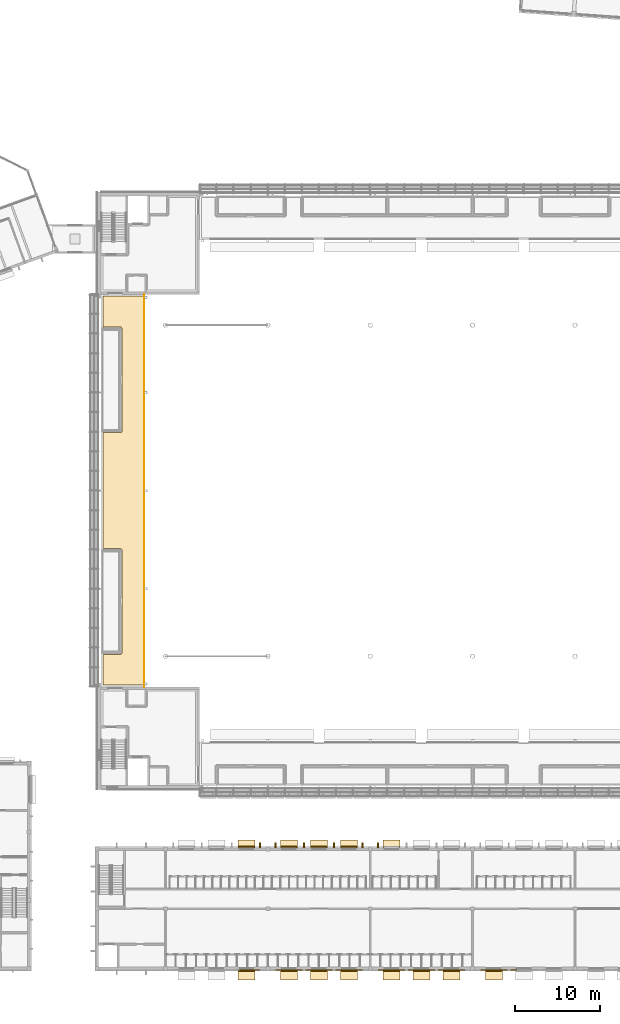
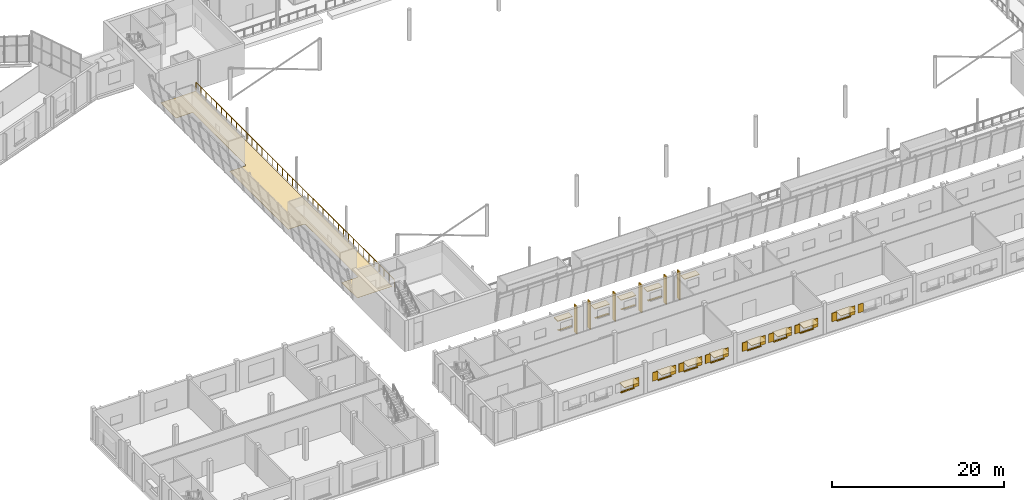
# One storey, part 98 of 115: 26 coverings, 22 shading devices, 1 railing.
"""IFC4 building model written with IfcOpenShell, lengths in metres."""

from ifc_helpers import new_model, si_unit, direction, frame, origin, origin_2d, place, context, subcontext, project, spatial, polyline, circle, outline, extrude, material, layer, layer_set, type_object, element, save


model = new_model("IFC4")

# Units and contexts
model_context = context("Model", 3, precision=1e-05, world=origin(), true_north=direction((0.0, 1.0)))
body_context = subcontext(model_context, "Body", "Model", "MODEL_VIEW")
ifc_project = project(units=[si_unit("LENGTHUNIT", "METRE"), si_unit("AREAUNIT", "SQUARE_METRE"), si_unit("VOLUMEUNIT", "CUBIC_METRE"), si_unit("PLANEANGLEUNIT", "RADIAN"), si_unit("MASSUNIT", "GRAM", prefix="KILO")], contexts=[model_context])

# Site, building, storey
site_placement = place(None, origin())
site = spatial("IfcSite", under=ifc_project, at=site_placement, CompositionType="ELEMENT")
building_placement = place(site_placement, origin())
building = spatial("IfcBuilding", under=site, at=building_placement, Name="Windward Yard Aquatics Centre", CompositionType="ELEMENT")
storey_placement = place(building_placement, frame((0.0, 0.0, 5.0)))
storey = spatial("IfcBuildingStorey", under=building, at=storey_placement, Name="L01", CompositionType="ELEMENT", Elevation=5.0)

# Shading devices
ifc_material_1 = material(Name="Aluminium louvre blades, powder coated", Category="aluminium")
ifc_layer_1 = layer(ifc_material_1, 0.080078125)
ifc_layer_set_1 = layer_set([ifc_layer_1], Name="C storm shutter louvred 700x1200")
shading_device_type_1 = type_object("IfcShadingDeviceType", Name="C storm shutter louvred 700x1200", PredefinedType="SHUTTER", material=ifc_layer_set_1)
shading_device_1_placement = place(storey_placement, frame((0.0, 0.0, 1.39990234375)))
element("IfcShadingDevice", 1, at=shading_device_1_placement, inside=storey, type_object=shading_device_type_1, Name="Storm shutter CW1003R", PredefinedType="SHUTTER", context=body_context, shape_type="SweptSolid", body=[
    extrude(outline(polyline([(70.36669921875, 4.77001953125), (70.36669921875, 4.85009765625), (71.066650390625, 4.85009765625), (71.066650390625, 4.77001953125), (70.36669921875, 4.77001953125)])), origin(), (0.0, 0.0, 1.0), 1.2001953125),
])
shading_device_2_placement = place(storey_placement, frame((0.0, 0.0, 1.39990234375)))
element("IfcShadingDevice", 2, at=shading_device_2_placement, inside=storey, type_object=shading_device_type_1, Name="Storm shutter CW1004L", PredefinedType="SHUTTER", context=body_context, shape_type="SweptSolid", body=[
    extrude(outline(polyline([(72.933349609375, 4.77001953125), (72.933349609375, 4.85009765625), (73.63330078125, 4.85009765625), (73.63330078125, 4.77001953125), (72.933349609375, 4.77001953125)])), origin(), (0.0, 0.0, 1.0), 1.2001953125),
])
shading_device_3_placement = place(storey_placement, frame((0.0, 0.0, 1.39990234375)))
element("IfcShadingDevice", 3, at=shading_device_3_placement, inside=storey, type_object=shading_device_type_1, Name="Storm shutter CW1004R", PredefinedType="SHUTTER", context=body_context, shape_type="SweptSolid", body=[
    extrude(outline(polyline([(75.333251953125, 4.77001953125), (75.333251953125, 4.85009765625), (76.033203125, 4.85009765625), (76.033203125, 4.77001953125), (75.333251953125, 4.77001953125)])), origin(), (0.0, 0.0, 1.0), 1.2001953125),
])
shading_device_4_placement = place(storey_placement, frame((0.0, 0.0, 1.39990234375)))
element("IfcShadingDevice", 4, at=shading_device_4_placement, inside=storey, type_object=shading_device_type_1, Name="Storm shutter CW1005L", PredefinedType="SHUTTER", context=body_context, shape_type="SweptSolid", body=[
    extrude(outline(polyline([(76.449951171875, 4.77001953125), (76.449951171875, 4.85009765625), (77.14990234375, 4.85009765625), (77.14990234375, 4.77001953125), (76.449951171875, 4.77001953125)])), origin(), (0.0, 0.0, 1.0), 1.2001953125),
])
shading_device_5_placement = place(storey_placement, frame((0.0, 0.0, 1.39990234375)))
element("IfcShadingDevice", 5, at=shading_device_5_placement, inside=storey, type_object=shading_device_type_1, Name="Storm shutter CW1005R", PredefinedType="SHUTTER", context=body_context, shape_type="SweptSolid", body=[
    extrude(outline(polyline([(78.85009765625, 4.77001953125), (78.85009765625, 4.85009765625), (79.550048828125, 4.85009765625), (79.550048828125, 4.77001953125), (78.85009765625, 4.77001953125)])), origin(), (0.0, 0.0, 1.0), 1.2001953125),
])
shading_device_6_placement = place(storey_placement, frame((0.0, 0.0, 1.39990234375)))
element("IfcShadingDevice", 6, at=shading_device_6_placement, inside=storey, type_object=shading_device_type_1, Name="Storm shutter CW1006L", PredefinedType="SHUTTER", context=body_context, shape_type="SweptSolid", body=[
    extrude(outline(polyline([(79.966796875, 4.77001953125), (79.966796875, 4.85009765625), (80.666748046875, 4.85009765625), (80.666748046875, 4.77001953125), (79.966796875, 4.77001953125)])), origin(), (0.0, 0.0, 1.0), 1.2001953125),
])
shading_device_7_placement = place(storey_placement, frame((0.0, 0.0, 1.39990234375)))
element("IfcShadingDevice", 7, at=shading_device_7_placement, inside=storey, type_object=shading_device_type_1, Name="Storm shutter CW1006R", PredefinedType="SHUTTER", context=body_context, shape_type="SweptSolid", body=[
    extrude(outline(polyline([(82.36669921875, 4.77001953125), (82.36669921875, 4.85009765625), (83.066650390625, 4.85009765625), (83.066650390625, 4.77001953125), (82.36669921875, 4.77001953125)])), origin(), (0.0, 0.0, 1.0), 1.2001953125),
])
shading_device_8_placement = place(storey_placement, frame((0.0, 0.0, 1.39990234375)))
element("IfcShadingDevice", 8, at=shading_device_8_placement, inside=storey, type_object=shading_device_type_1, Name="Storm shutter CW1007L", PredefinedType="SHUTTER", context=body_context, shape_type="SweptSolid", body=[
    extrude(outline(polyline([(84.933349609375, 4.77001953125), (84.933349609375, 4.85009765625), (85.63330078125, 4.85009765625), (85.63330078125, 4.77001953125), (84.933349609375, 4.77001953125)])), origin(), (0.0, 0.0, 1.0), 1.2001953125),
])
shading_device_9_placement = place(storey_placement, frame((0.0, 0.0, 1.39990234375)))
element("IfcShadingDevice", 9, at=shading_device_9_placement, inside=storey, type_object=shading_device_type_1, Name="Storm shutter CW1007R", PredefinedType="SHUTTER", context=body_context, shape_type="SweptSolid", body=[
    extrude(outline(polyline([(87.333251953125, 4.77001953125), (87.333251953125, 4.85009765625), (88.033203125, 4.85009765625), (88.033203125, 4.77001953125), (87.333251953125, 4.77001953125)])), origin(), (0.0, 0.0, 1.0), 1.2001953125),
])
shading_device_10_placement = place(storey_placement, frame((0.0, 0.0, 1.39990234375)))
element("IfcShadingDevice", 10, at=shading_device_10_placement, inside=storey, type_object=shading_device_type_1, Name="Storm shutter CW1008L", PredefinedType="SHUTTER", context=body_context, shape_type="SweptSolid", body=[
    extrude(outline(polyline([(88.449951171875, 4.77001953125), (88.449951171875, 4.85009765625), (89.14990234375, 4.85009765625), (89.14990234375, 4.77001953125), (88.449951171875, 4.77001953125)])), origin(), (0.0, 0.0, 1.0), 1.2001953125),
])
shading_device_11_placement = place(storey_placement, frame((0.0, 0.0, 1.39990234375)))
element("IfcShadingDevice", 11, at=shading_device_11_placement, inside=storey, type_object=shading_device_type_1, Name="Storm shutter CW1008R", PredefinedType="SHUTTER", context=body_context, shape_type="SweptSolid", body=[
    extrude(outline(polyline([(90.85009765625, 4.77001953125), (90.85009765625, 4.85009765625), (91.550048828125, 4.85009765625), (91.550048828125, 4.77001953125), (90.85009765625, 4.77001953125)])), origin(), (0.0, 0.0, 1.0), 1.2001953125),
])
shading_device_12_placement = place(storey_placement, frame((0.0, 0.0, 1.39990234375)))
element("IfcShadingDevice", 12, at=shading_device_12_placement, inside=storey, type_object=shading_device_type_1, Name="Storm shutter CW1009L", PredefinedType="SHUTTER", context=body_context, shape_type="SweptSolid", body=[
    extrude(outline(polyline([(91.966796875, 4.77001953125), (91.966796875, 4.85009765625), (92.666748046875, 4.85009765625), (92.666748046875, 4.77001953125), (91.966796875, 4.77001953125)])), origin(), (0.0, 0.0, 1.0), 1.2001953125),
])
shading_device_13_placement = place(storey_placement, frame((0.0, 0.0, 1.39990234375)))
element("IfcShadingDevice", 13, at=shading_device_13_placement, inside=storey, type_object=shading_device_type_1, Name="Storm shutter CW1009R", PredefinedType="SHUTTER", context=body_context, shape_type="SweptSolid", body=[
    extrude(outline(polyline([(94.36669921875, 4.77001953125), (94.36669921875, 4.85009765625), (95.066650390625, 4.85009765625), (95.066650390625, 4.77001953125), (94.36669921875, 4.77001953125)])), origin(), (0.0, 0.0, 1.0), 1.2001953125),
])
shading_device_14_placement = place(storey_placement, frame((0.0, 0.0, 1.39990234375)))
element("IfcShadingDevice", 14, at=shading_device_14_placement, inside=storey, type_object=shading_device_type_1, Name="Storm shutter CW1010L", PredefinedType="SHUTTER", context=body_context, shape_type="SweptSolid", body=[
    extrude(outline(polyline([(96.933349609375, 4.77001953125), (96.933349609375, 4.85009765625), (97.63330078125, 4.85009765625), (97.63330078125, 4.77001953125), (96.933349609375, 4.77001953125)])), origin(), (0.0, 0.0, 1.0), 1.2001953125),
])
shading_device_15_placement = place(storey_placement, frame((0.0, 0.0, 1.39990234375)))
element("IfcShadingDevice", 15, at=shading_device_15_placement, inside=storey, type_object=shading_device_type_1, Name="Storm shutter CW1010R", PredefinedType="SHUTTER", context=body_context, shape_type="SweptSolid", body=[
    extrude(outline(polyline([(99.333251953125, 4.77001953125), (99.333251953125, 4.85009765625), (100.033203125, 4.85009765625), (100.033203125, 4.77001953125), (99.333251953125, 4.77001953125)])), origin(), (0.0, 0.0, 1.0), 1.2001953125),
])
shading_device_16_placement = place(storey_placement, frame((0.0, 0.0, 1.39990234375)))
element("IfcShadingDevice", 16, at=shading_device_16_placement, inside=storey, type_object=shading_device_type_1, Name="Storm shutter CW1011L", PredefinedType="SHUTTER", context=body_context, shape_type="SweptSolid", body=[
    extrude(outline(polyline([(100.449951171875, 4.77001953125), (100.449951171875, 4.85009765625), (101.14990234375, 4.85009765625), (101.14990234375, 4.77001953125), (100.449951171875, 4.77001953125)])), origin(), (0.0, 0.0, 1.0), 1.2001953125),
])
ifc_material_2 = material(Name="Aluminium fin, powder coated", Category="aluminium")
shading_device_type_2 = type_object("IfcShadingDeviceType", Name="C vertical fin 150x600", PredefinedType="USERDEFINED", material=ifc_material_2)
shading_device_17_placement = place(storey_placement, origin())
element("IfcShadingDevice", 17, at=shading_device_17_placement, inside=storey, type_object=shading_device_type_2, Name="Vertical fin C.W.L01.N2.4.1", ObjectType="FIN", PredefinedType="USERDEFINED", context=body_context, shape_type="SweptSolid", body=[
    extrude(outline(polyline([(71.020751953125, 19.14990234375), (71.1708984375, 19.14990234375), (71.1708984375, 19.75), (71.020751953125, 19.75), (71.020751953125, 19.14990234375)])), origin(), (0.0, 0.0, 1.0), 3.929931640625),
])
shading_device_18_placement = place(storey_placement, origin())
element("IfcShadingDevice", 18, at=shading_device_18_placement, inside=storey, type_object=shading_device_type_2, Name="Vertical fin C.W.L01.N3.1.1", ObjectType="FIN", PredefinedType="USERDEFINED", context=body_context, shape_type="SweptSolid", body=[
    extrude(outline(polyline([(72.8291015625, 19.14990234375), (72.97900390625, 19.14990234375), (72.97900390625, 19.75), (72.8291015625, 19.75), (72.8291015625, 19.14990234375)])), origin(), (0.0, 0.0, 1.0), 3.929931640625),
])
shading_device_19_placement = place(storey_placement, origin())
element("IfcShadingDevice", 19, at=shading_device_19_placement, inside=storey, type_object=shading_device_type_2, Name="Vertical fin C.W.L01.N3.2.1", ObjectType="FIN", PredefinedType="USERDEFINED", context=body_context, shape_type="SweptSolid", body=[
    extrude(outline(polyline([(76.16650390625, 19.14990234375), (76.316650390625, 19.14990234375), (76.316650390625, 19.75), (76.16650390625, 19.75), (76.16650390625, 19.14990234375)])), origin(), (0.0, 0.0, 1.0), 3.929931640625),
])
shading_device_20_placement = place(storey_placement, origin())
element("IfcShadingDevice", 20, at=shading_device_20_placement, inside=storey, type_object=shading_device_type_2, Name="Vertical fin C.W.L01.N3.3.1", ObjectType="FIN", PredefinedType="USERDEFINED", context=body_context, shape_type="SweptSolid", body=[
    extrude(outline(polyline([(79.683349609375, 19.14990234375), (79.833251953125, 19.14990234375), (79.833251953125, 19.75), (79.683349609375, 19.75), (79.683349609375, 19.14990234375)])), origin(), (0.0, 0.0, 1.0), 3.929931640625),
])
shading_device_21_placement = place(storey_placement, origin())
element("IfcShadingDevice", 21, at=shading_device_21_placement, inside=storey, type_object=shading_device_type_2, Name="Vertical fin C.W.L01.N3.4.1", ObjectType="FIN", PredefinedType="USERDEFINED", context=body_context, shape_type="SweptSolid", body=[
    extrude(outline(polyline([(83.020751953125, 19.14990234375), (83.1708984375, 19.14990234375), (83.1708984375, 19.75), (83.020751953125, 19.75), (83.020751953125, 19.14990234375)])), origin(), (0.0, 0.0, 1.0), 3.929931640625),
])
shading_device_22_placement = place(storey_placement, origin())
element("IfcShadingDevice", 22, at=shading_device_22_placement, inside=storey, type_object=shading_device_type_2, Name="Vertical fin C.W.L01.N4.1.1", ObjectType="FIN", PredefinedType="USERDEFINED", context=body_context, shape_type="SweptSolid", body=[
    extrude(outline(polyline([(84.8291015625, 19.14990234375), (84.97900390625, 19.14990234375), (84.97900390625, 19.75), (84.8291015625, 19.75), (84.8291015625, 19.14990234375)])), origin(), (0.0, 0.0, 1.0), 3.929931640625),
])

# Coverings
ifc_material_3 = material(Name="Aluminium composite hood, powder coated", Category="aluminium")
ifc_layer_2 = layer(ifc_material_3, 0.080078125)
ifc_layer_set_2 = layer_set([ifc_layer_2], Name="C window hood aluminium 2000x1200")
covering_type_1 = type_object("IfcCoveringType", Name="C window hood aluminium 2000x1200", PredefinedType="CLADDING", material=ifc_layer_set_2)
covering_1_placement = place(storey_placement, frame((0.0, 0.0, 2.64990234375)))
element("IfcCovering", 23, at=covering_1_placement, inside=storey, type_object=covering_type_1, Name="Window hood CW1003", PredefinedType="CLADDING", context=body_context, shape_type="SweptSolid", body=[
    extrude(outline(polyline([(68.5166015625, 3.64990234375), (68.5166015625, 4.85009765625), (70.5166015625, 4.85009765625), (70.5166015625, 3.64990234375), (68.5166015625, 3.64990234375)])), origin(), (0.0, 0.0, 1.0), 0.080078125),
])
covering_2_placement = place(storey_placement, frame((0.0, 0.0, 2.64990234375)))
element("IfcCovering", 24, at=covering_2_placement, inside=storey, type_object=covering_type_1, Name="Window hood CW1004", PredefinedType="CLADDING", context=body_context, shape_type="SweptSolid", body=[
    extrude(outline(polyline([(73.4833984375, 3.64990234375), (73.4833984375, 4.85009765625), (75.4833984375, 4.85009765625), (75.4833984375, 3.64990234375), (73.4833984375, 3.64990234375)])), origin(), (0.0, 0.0, 1.0), 0.080078125),
])
covering_3_placement = place(storey_placement, frame((0.0, 0.0, 2.64990234375)))
element("IfcCovering", 25, at=covering_3_placement, inside=storey, type_object=covering_type_1, Name="Window hood CW1005", PredefinedType="CLADDING", context=body_context, shape_type="SweptSolid", body=[
    extrude(outline(polyline([(77.0, 3.64990234375), (77.0, 4.85009765625), (79.0, 4.85009765625), (79.0, 3.64990234375), (77.0, 3.64990234375)])), origin(), (0.0, 0.0, 1.0), 0.080078125),
])
covering_4_placement = place(storey_placement, frame((0.0, 0.0, 2.64990234375)))
element("IfcCovering", 26, at=covering_4_placement, inside=storey, type_object=covering_type_1, Name="Window hood CW1006", PredefinedType="CLADDING", context=body_context, shape_type="SweptSolid", body=[
    extrude(outline(polyline([(80.5166015625, 3.64990234375), (80.5166015625, 4.85009765625), (82.5166015625, 4.85009765625), (82.5166015625, 3.64990234375), (80.5166015625, 3.64990234375)])), origin(), (0.0, 0.0, 1.0), 0.080078125),
])
covering_5_placement = place(storey_placement, frame((0.0, 0.0, 2.64990234375)))
element("IfcCovering", 27, at=covering_5_placement, inside=storey, type_object=covering_type_1, Name="Window hood CW1007", PredefinedType="CLADDING", context=body_context, shape_type="SweptSolid", body=[
    extrude(outline(polyline([(85.4833984375, 3.64990234375), (85.4833984375, 4.85009765625), (87.4833984375, 4.85009765625), (87.4833984375, 3.64990234375), (85.4833984375, 3.64990234375)])), origin(), (0.0, 0.0, 1.0), 0.080078125),
])
covering_6_placement = place(storey_placement, frame((0.0, 0.0, 2.64990234375)))
element("IfcCovering", 28, at=covering_6_placement, inside=storey, type_object=covering_type_1, Name="Window hood CW1008", PredefinedType="CLADDING", context=body_context, shape_type="SweptSolid", body=[
    extrude(outline(polyline([(89.0, 3.64990234375), (89.0, 4.85009765625), (91.0, 4.85009765625), (91.0, 3.64990234375), (89.0, 3.64990234375)])), origin(), (0.0, 0.0, 1.0), 0.080078125),
])
covering_7_placement = place(storey_placement, frame((0.0, 0.0, 2.64990234375)))
element("IfcCovering", 29, at=covering_7_placement, inside=storey, type_object=covering_type_1, Name="Window hood CW1009", PredefinedType="CLADDING", context=body_context, shape_type="SweptSolid", body=[
    extrude(outline(polyline([(92.5166015625, 3.64990234375), (92.5166015625, 4.85009765625), (94.5166015625, 4.85009765625), (94.5166015625, 3.64990234375), (92.5166015625, 3.64990234375)])), origin(), (0.0, 0.0, 1.0), 0.080078125),
])
covering_8_placement = place(storey_placement, frame((0.0, 0.0, 2.64990234375)))
element("IfcCovering", 30, at=covering_8_placement, inside=storey, type_object=covering_type_1, Name="Window hood CW1010", PredefinedType="CLADDING", context=body_context, shape_type="SweptSolid", body=[
    extrude(outline(polyline([(97.4833984375, 3.64990234375), (97.4833984375, 4.85009765625), (99.4833984375, 4.85009765625), (99.4833984375, 3.64990234375), (97.4833984375, 3.64990234375)])), origin(), (0.0, 0.0, 1.0), 0.080078125),
])
ifc_layer_3 = layer(ifc_material_3, 0.080078125)
ifc_layer_set_3 = layer_set([ifc_layer_3], Name="C window hood aluminium 2000x900")
covering_type_2 = type_object("IfcCoveringType", Name="C window hood aluminium 2000x900", PredefinedType="CLADDING", material=ifc_layer_set_3)
covering_9_placement = place(storey_placement, frame((0.0, 0.0, 2.64990234375)))
element("IfcCovering", 31, at=covering_9_placement, inside=storey, type_object=covering_type_2, Name="Window hood CW1024", PredefinedType="CLADDING", context=body_context, shape_type="SweptSolid", body=[
    extrude(outline(polyline([(68.5166015625, 19.14990234375), (70.5166015625, 19.14990234375), (70.5166015625, 20.050048828125), (68.5166015625, 20.050048828125), (68.5166015625, 19.14990234375)])), origin(), (0.0, 0.0, 1.0), 0.080078125),
])
covering_10_placement = place(storey_placement, frame((0.0, 0.0, 2.64990234375)))
element("IfcCovering", 32, at=covering_10_placement, inside=storey, type_object=covering_type_2, Name="Window hood CW1025", PredefinedType="CLADDING", context=body_context, shape_type="SweptSolid", body=[
    extrude(outline(polyline([(73.4833984375, 19.14990234375), (75.4833984375, 19.14990234375), (75.4833984375, 20.050048828125), (73.4833984375, 20.050048828125), (73.4833984375, 19.14990234375)])), origin(), (0.0, 0.0, 1.0), 0.080078125),
])
covering_11_placement = place(storey_placement, frame((0.0, 0.0, 2.64990234375)))
element("IfcCovering", 33, at=covering_11_placement, inside=storey, type_object=covering_type_2, Name="Window hood CW1026", PredefinedType="CLADDING", context=body_context, shape_type="SweptSolid", body=[
    extrude(outline(polyline([(77.0, 19.14990234375), (79.0, 19.14990234375), (79.0, 20.050048828125), (77.0, 20.050048828125), (77.0, 19.14990234375)])), origin(), (0.0, 0.0, 1.0), 0.080078125),
])
covering_12_placement = place(storey_placement, frame((0.0, 0.0, 2.64990234375)))
element("IfcCovering", 34, at=covering_12_placement, inside=storey, type_object=covering_type_2, Name="Window hood CW1027", PredefinedType="CLADDING", context=body_context, shape_type="SweptSolid", body=[
    extrude(outline(polyline([(80.5166015625, 19.14990234375), (82.5166015625, 19.14990234375), (82.5166015625, 20.050048828125), (80.5166015625, 20.050048828125), (80.5166015625, 19.14990234375)])), origin(), (0.0, 0.0, 1.0), 0.080078125),
])
covering_13_placement = place(storey_placement, frame((0.0, 0.0, 2.64990234375)))
element("IfcCovering", 35, at=covering_13_placement, inside=storey, type_object=covering_type_2, Name="Window hood CW1028", PredefinedType="CLADDING", context=body_context, shape_type="SweptSolid", body=[
    extrude(outline(polyline([(85.4833984375, 19.14990234375), (87.4833984375, 19.14990234375), (87.4833984375, 20.050048828125), (85.4833984375, 20.050048828125), (85.4833984375, 19.14990234375)])), origin(), (0.0, 0.0, 1.0), 0.080078125),
])
ifc_material_4 = material(Name="Limestone sill", Category="masonry")
ifc_layer_4 = layer(ifc_material_4, 0.080078125)
ifc_layer_set_4 = layer_set([ifc_layer_4], Name="C window sill stone 1800x200")
covering_type_3 = type_object("IfcCoveringType", Name="C window sill stone 1800x200", PredefinedType="CLADDING", material=ifc_layer_set_4)
covering_14_placement = place(storey_placement, frame((0.0, 0.0, 1.320068359375)))
element("IfcCovering", 36, at=covering_14_placement, inside=storey, type_object=covering_type_3, Name="Window sill CW1024", PredefinedType="CLADDING", context=body_context, shape_type="SweptSolid", body=[
    extrude(outline(polyline([(68.61669921875, 19.14990234375), (70.416748046875, 19.14990234375), (70.416748046875, 19.35009765625), (68.61669921875, 19.35009765625), (68.61669921875, 19.14990234375)])), origin(), (0.0, 0.0, 1.0), 0.079833984375),
])
covering_15_placement = place(storey_placement, frame((0.0, 0.0, 1.320068359375)))
element("IfcCovering", 37, at=covering_15_placement, inside=storey, type_object=covering_type_3, Name="Window sill CW1025", PredefinedType="CLADDING", context=body_context, shape_type="SweptSolid", body=[
    extrude(outline(polyline([(73.583251953125, 19.14990234375), (75.38330078125, 19.14990234375), (75.38330078125, 19.35009765625), (73.583251953125, 19.35009765625), (73.583251953125, 19.14990234375)])), origin(), (0.0, 0.0, 1.0), 0.079833984375),
])
covering_16_placement = place(storey_placement, frame((0.0, 0.0, 1.320068359375)))
element("IfcCovering", 38, at=covering_16_placement, inside=storey, type_object=covering_type_3, Name="Window sill CW1026", PredefinedType="CLADDING", context=body_context, shape_type="SweptSolid", body=[
    extrude(outline(polyline([(77.10009765625, 19.14990234375), (78.89990234375, 19.14990234375), (78.89990234375, 19.35009765625), (77.10009765625, 19.35009765625), (77.10009765625, 19.14990234375)])), origin(), (0.0, 0.0, 1.0), 0.079833984375),
])
covering_17_placement = place(storey_placement, frame((0.0, 0.0, 1.320068359375)))
element("IfcCovering", 39, at=covering_17_placement, inside=storey, type_object=covering_type_3, Name="Window sill CW1027", PredefinedType="CLADDING", context=body_context, shape_type="SweptSolid", body=[
    extrude(outline(polyline([(80.61669921875, 19.14990234375), (82.416748046875, 19.14990234375), (82.416748046875, 19.35009765625), (80.61669921875, 19.35009765625), (80.61669921875, 19.14990234375)])), origin(), (0.0, 0.0, 1.0), 0.079833984375),
])
covering_18_placement = place(storey_placement, frame((0.0, 0.0, 1.320068359375)))
element("IfcCovering", 40, at=covering_18_placement, inside=storey, type_object=covering_type_3, Name="Window sill CW1003", PredefinedType="CLADDING", context=body_context, shape_type="SweptSolid", body=[
    extrude(outline(polyline([(68.61669921875, 4.64990234375), (68.61669921875, 4.85009765625), (70.416748046875, 4.85009765625), (70.416748046875, 4.64990234375), (68.61669921875, 4.64990234375)])), origin(), (0.0, 0.0, 1.0), 0.079833984375),
])
covering_19_placement = place(storey_placement, frame((0.0, 0.0, 1.320068359375)))
element("IfcCovering", 41, at=covering_19_placement, inside=storey, type_object=covering_type_3, Name="Window sill CW1004", PredefinedType="CLADDING", context=body_context, shape_type="SweptSolid", body=[
    extrude(outline(polyline([(73.583251953125, 4.64990234375), (73.583251953125, 4.85009765625), (75.38330078125, 4.85009765625), (75.38330078125, 4.64990234375), (73.583251953125, 4.64990234375)])), origin(), (0.0, 0.0, 1.0), 0.079833984375),
])
covering_20_placement = place(storey_placement, frame((0.0, 0.0, 1.320068359375)))
element("IfcCovering", 42, at=covering_20_placement, inside=storey, type_object=covering_type_3, Name="Window sill CW1005", PredefinedType="CLADDING", context=body_context, shape_type="SweptSolid", body=[
    extrude(outline(polyline([(77.10009765625, 4.64990234375), (77.10009765625, 4.85009765625), (78.89990234375, 4.85009765625), (78.89990234375, 4.64990234375), (77.10009765625, 4.64990234375)])), origin(), (0.0, 0.0, 1.0), 0.079833984375),
])
covering_21_placement = place(storey_placement, frame((0.0, 0.0, 1.320068359375)))
element("IfcCovering", 43, at=covering_21_placement, inside=storey, type_object=covering_type_3, Name="Window sill CW1006", PredefinedType="CLADDING", context=body_context, shape_type="SweptSolid", body=[
    extrude(outline(polyline([(80.61669921875, 4.64990234375), (80.61669921875, 4.85009765625), (82.416748046875, 4.85009765625), (82.416748046875, 4.64990234375), (80.61669921875, 4.64990234375)])), origin(), (0.0, 0.0, 1.0), 0.079833984375),
])
covering_22_placement = place(storey_placement, frame((0.0, 0.0, 1.320068359375)))
element("IfcCovering", 44, at=covering_22_placement, inside=storey, type_object=covering_type_3, Name="Window sill CW1007", PredefinedType="CLADDING", context=body_context, shape_type="SweptSolid", body=[
    extrude(outline(polyline([(85.583251953125, 4.64990234375), (85.583251953125, 4.85009765625), (87.38330078125, 4.85009765625), (87.38330078125, 4.64990234375), (85.583251953125, 4.64990234375)])), origin(), (0.0, 0.0, 1.0), 0.079833984375),
])
covering_23_placement = place(storey_placement, frame((0.0, 0.0, 1.320068359375)))
element("IfcCovering", 45, at=covering_23_placement, inside=storey, type_object=covering_type_3, Name="Window sill CW1008", PredefinedType="CLADDING", context=body_context, shape_type="SweptSolid", body=[
    extrude(outline(polyline([(89.10009765625, 4.64990234375), (89.10009765625, 4.85009765625), (90.89990234375, 4.85009765625), (90.89990234375, 4.64990234375), (89.10009765625, 4.64990234375)])), origin(), (0.0, 0.0, 1.0), 0.079833984375),
])
covering_24_placement = place(storey_placement, frame((0.0, 0.0, 1.320068359375)))
element("IfcCovering", 46, at=covering_24_placement, inside=storey, type_object=covering_type_3, Name="Window sill CW1009", PredefinedType="CLADDING", context=body_context, shape_type="SweptSolid", body=[
    extrude(outline(polyline([(92.61669921875, 4.64990234375), (92.61669921875, 4.85009765625), (94.416748046875, 4.85009765625), (94.416748046875, 4.64990234375), (92.61669921875, 4.64990234375)])), origin(), (0.0, 0.0, 1.0), 0.079833984375),
])
covering_25_placement = place(storey_placement, frame((0.0, 0.0, 1.320068359375)))
element("IfcCovering", 47, at=covering_25_placement, inside=storey, type_object=covering_type_3, Name="Window sill CW1010", PredefinedType="CLADDING", context=body_context, shape_type="SweptSolid", body=[
    extrude(outline(polyline([(97.583251953125, 4.64990234375), (97.583251953125, 4.85009765625), (99.38330078125, 4.85009765625), (99.38330078125, 4.64990234375), (97.583251953125, 4.64990234375)])), origin(), (0.0, 0.0, 1.0), 0.079833984375),
])
ifc_material_5 = material(Name="Polished screed")
ifc_layer_5 = layer(ifc_material_5, 0.0400390625)
ifc_layer_set_5 = layer_set([ifc_layer_5], Name="H Floor Finish Screed 40")
covering_type_4 = type_object("IfcCoveringType", Name="H Floor Finish Screed 40", PredefinedType="FLOORING", material=ifc_layer_set_5)
covering_26_placement = place(storey_placement, origin())
element("IfcCovering", 48, at=covering_26_placement, inside=storey, type_object=covering_type_4, Name="Gable Concourse West floor finish", PredefinedType="FLOORING", context=body_context, shape_type="SweptSolid", body=[
    extrude(outline(polyline([(52.64990234375, 38.199951171875), (52.64990234375, 41.800048828125), (54.719482421875, 41.801025390625), (54.758056640625, 41.80859375), (54.794189453125, 41.823486328125), (54.826904296875, 41.845458984375), (54.8544921875, 41.873046875), (54.8662109375, 41.888916015625), (54.884765625, 41.923583984375), (54.896240234375, 41.9609375), (54.89990234375, 42.0), (54.89990234375, 54.0), (54.896240234375, 54.0390625), (54.884765625, 54.076416015625), (54.87646484375, 54.09423828125), (54.8544921875, 54.126953125), (54.826904296875, 54.154541015625), (54.81103515625, 54.166259765625), (54.776611328125, 54.184814453125), (54.758056640625, 54.19140625), (54.719482421875, 54.198974609375), (52.64990234375, 54.199951171875), (52.64990234375, 67.800048828125), (54.719482421875, 67.801025390625), (54.758056640625, 67.80859375), (54.776611328125, 67.815185546875), (54.81103515625, 67.833740234375), (54.826904296875, 67.845458984375), (54.8544921875, 67.873046875), (54.87646484375, 67.90576171875), (54.884765625, 67.923583984375), (54.896240234375, 67.9609375), (54.89990234375, 68.0), (54.89892578125, 80.01953125), (54.891357421875, 80.05810546875), (54.87646484375, 80.09423828125), (54.8544921875, 80.126953125), (54.84130859375, 80.141357421875), (54.826904296875, 80.154541015625), (54.794189453125, 80.176513671875), (54.758056640625, 80.19140625), (54.719482421875, 80.198974609375), (52.64990234375, 80.199951171875), (52.64990234375, 83.800048828125), (57.359619140625, 83.800048828125), (57.359619140625, 38.199951171875), (52.64990234375, 38.199951171875)])), origin(), (0.0, 0.0, 1.0), 0.02001953125),
])

# Railing
ifc_material_6 = material(Name="Stainless steel 1.4529", Category="steel")
railing_type = type_object("IfcRailingType", Name="H Guard Steel 1100", PredefinedType="GUARDRAIL", material=ifc_material_6)
railing_placement = place(storey_placement, frame((57.509521484375, 38.0, 0.0)))
element("IfcRailing", 49, at=railing_placement, inside=storey, type_object=railing_type, Name="Gable concourse edge guard W", PredefinedType="GUARDRAIL", context=body_context, shape_type="SweptSolid", body=[
    extrude(circle(Radius=0.02392578125, at=origin_2d()), frame((0.0, 0.0, 1.076171875), z_axis=(0.0, 1.0, 0.0), x_axis=(-1.0, 0.0, 0.0)), (0.0, 0.0, 1.0), 46.0),
    extrude(circle(Radius=0.02099609375, at=origin_2d()), origin(), (0.0, 0.0, 1.0), 1.052001953125),
    extrude(circle(Radius=0.02099609375, at=origin_2d()), frame((0.0, 1.179443359375, 0.0)), (0.0, 0.0, 1.0), 1.052001953125),
    extrude(circle(Radius=0.02099609375, at=origin_2d()), frame((0.0, 2.35888671875, 0.0)), (0.0, 0.0, 1.0), 1.052001953125),
    extrude(circle(Radius=0.02099609375, at=origin_2d()), frame((0.0, 3.53857421875, 0.0)), (0.0, 0.0, 1.0), 1.052001953125),
    extrude(circle(Radius=0.02099609375, at=origin_2d()), frame((0.0, 4.718017578125, 0.0)), (0.0, 0.0, 1.0), 1.052001953125),
    extrude(circle(Radius=0.02099609375, at=origin_2d()), frame((0.0, 5.8974609375, 0.0)), (0.0, 0.0, 1.0), 1.052001953125),
    extrude(circle(Radius=0.02099609375, at=origin_2d()), frame((0.0, 7.076904296875, 0.0)), (0.0, 0.0, 1.0), 1.052001953125),
    extrude(circle(Radius=0.02099609375, at=origin_2d()), frame((0.0, 8.25634765625, 0.0)), (0.0, 0.0, 1.0), 1.052001953125),
    extrude(circle(Radius=0.02099609375, at=origin_2d()), frame((0.0, 9.435791015625, 0.0)), (0.0, 0.0, 1.0), 1.052001953125),
    extrude(circle(Radius=0.02099609375, at=origin_2d()), frame((0.0, 10.615478515625, 0.0)), (0.0, 0.0, 1.0), 1.052001953125),
    extrude(circle(Radius=0.02099609375, at=origin_2d()), frame((0.0, 11.794921875, 0.0)), (0.0, 0.0, 1.0), 1.052001953125),
    extrude(circle(Radius=0.02099609375, at=origin_2d()), frame((0.0, 12.974365234375, 0.0)), (0.0, 0.0, 1.0), 1.052001953125),
    extrude(circle(Radius=0.02099609375, at=origin_2d()), frame((0.0, 14.15380859375, 0.0)), (0.0, 0.0, 1.0), 1.052001953125),
    extrude(circle(Radius=0.02099609375, at=origin_2d()), frame((0.0, 15.333251953125, 0.0)), (0.0, 0.0, 1.0), 1.052001953125),
    extrude(circle(Radius=0.02099609375, at=origin_2d()), frame((0.0, 16.512939453125, 0.0)), (0.0, 0.0, 1.0), 1.052001953125),
    extrude(circle(Radius=0.02099609375, at=origin_2d()), frame((0.0, 17.6923828125, 0.0)), (0.0, 0.0, 1.0), 1.052001953125),
    extrude(circle(Radius=0.02099609375, at=origin_2d()), frame((0.0, 18.871826171875, 0.0)), (0.0, 0.0, 1.0), 1.052001953125),
    extrude(circle(Radius=0.02099609375, at=origin_2d()), frame((0.0, 20.05126953125, 0.0)), (0.0, 0.0, 1.0), 1.052001953125),
    extrude(circle(Radius=0.02099609375, at=origin_2d()), frame((0.0, 21.230712890625, 0.0)), (0.0, 0.0, 1.0), 1.052001953125),
    extrude(circle(Radius=0.02099609375, at=origin_2d()), frame((0.0, 22.41015625, 0.0)), (0.0, 0.0, 1.0), 1.052001953125),
    extrude(circle(Radius=0.02099609375, at=origin_2d()), frame((0.0, 23.58984375, 0.0)), (0.0, 0.0, 1.0), 1.052001953125),
    extrude(circle(Radius=0.02099609375, at=origin_2d()), frame((0.0, 24.769287109375, 0.0)), (0.0, 0.0, 1.0), 1.052001953125),
    extrude(circle(Radius=0.02099609375, at=origin_2d()), frame((0.0, 25.94873046875, 0.0)), (0.0, 0.0, 1.0), 1.052001953125),
    extrude(circle(Radius=0.02099609375, at=origin_2d()), frame((0.0, 27.128173828125, 0.0)), (0.0, 0.0, 1.0), 1.052001953125),
    extrude(circle(Radius=0.02099609375, at=origin_2d()), frame((0.0, 28.3076171875, 0.0)), (0.0, 0.0, 1.0), 1.052001953125),
    extrude(circle(Radius=0.02099609375, at=origin_2d()), frame((0.0, 29.487060546875, 0.0)), (0.0, 0.0, 1.0), 1.052001953125),
    extrude(circle(Radius=0.02099609375, at=origin_2d()), frame((0.0, 30.666748046875, 0.0)), (0.0, 0.0, 1.0), 1.052001953125),
    extrude(circle(Radius=0.02099609375, at=origin_2d()), frame((0.0, 31.84619140625, 0.0)), (0.0, 0.0, 1.0), 1.052001953125),
    extrude(circle(Radius=0.02099609375, at=origin_2d()), frame((0.0, 33.025634765625, 0.0)), (0.0, 0.0, 1.0), 1.052001953125),
    extrude(circle(Radius=0.02099609375, at=origin_2d()), frame((0.0, 34.205078125, 0.0)), (0.0, 0.0, 1.0), 1.052001953125),
    extrude(circle(Radius=0.02099609375, at=origin_2d()), frame((0.0, 35.384521484375, 0.0)), (0.0, 0.0, 1.0), 1.052001953125),
    extrude(circle(Radius=0.02099609375, at=origin_2d()), frame((0.0, 36.564208984375, 0.0)), (0.0, 0.0, 1.0), 1.052001953125),
    extrude(circle(Radius=0.02099609375, at=origin_2d()), frame((0.0, 37.74365234375, 0.0)), (0.0, 0.0, 1.0), 1.052001953125),
    extrude(circle(Radius=0.02099609375, at=origin_2d()), frame((0.0, 38.923095703125, 0.0)), (0.0, 0.0, 1.0), 1.052001953125),
    extrude(circle(Radius=0.02099609375, at=origin_2d()), frame((0.0, 40.1025390625, 0.0)), (0.0, 0.0, 1.0), 1.052001953125),
    extrude(circle(Radius=0.02099609375, at=origin_2d()), frame((0.0, 41.281982421875, 0.0)), (0.0, 0.0, 1.0), 1.052001953125),
    extrude(circle(Radius=0.02099609375, at=origin_2d()), frame((0.0, 42.46142578125, 0.0)), (0.0, 0.0, 1.0), 1.052001953125),
    extrude(circle(Radius=0.02099609375, at=origin_2d()), frame((0.0, 43.64111328125, 0.0)), (0.0, 0.0, 1.0), 1.052001953125),
    extrude(circle(Radius=0.02099609375, at=origin_2d()), frame((0.0, 44.820556640625, 0.0)), (0.0, 0.0, 1.0), 1.052001953125),
    extrude(circle(Radius=0.02099609375, at=origin_2d()), frame((0.0, 46.0, 0.0)), (0.0, 0.0, 1.0), 1.052001953125),
])

save(model, "model.ifc")
